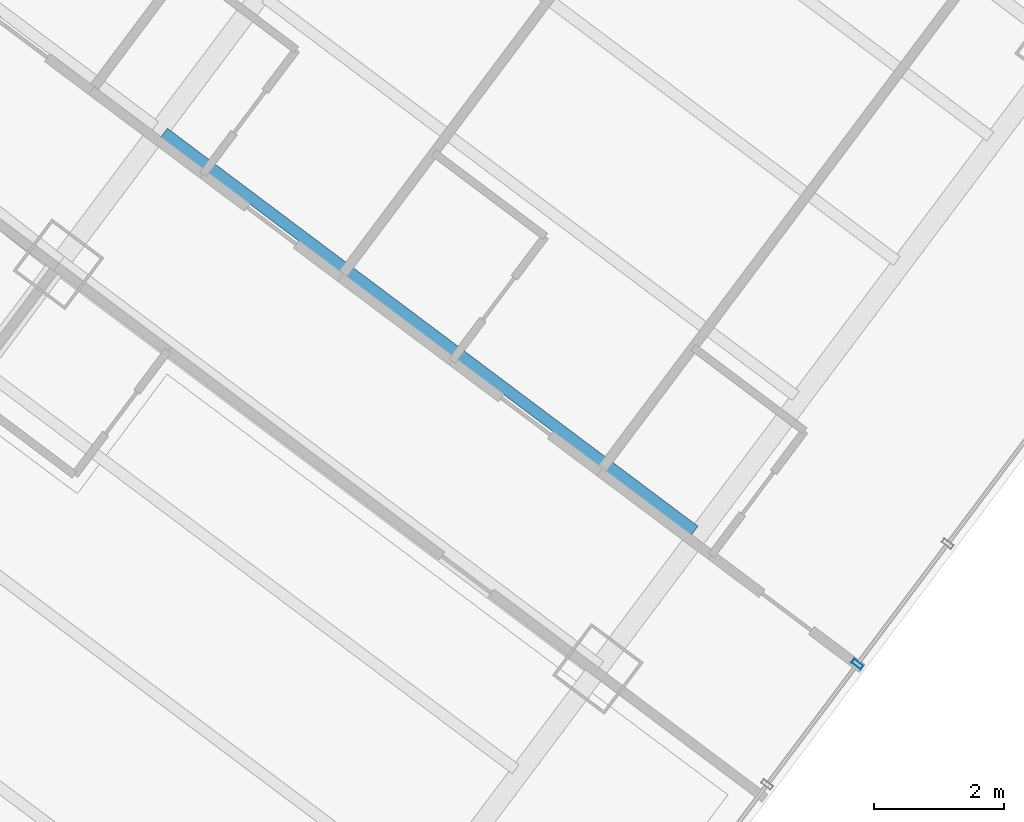
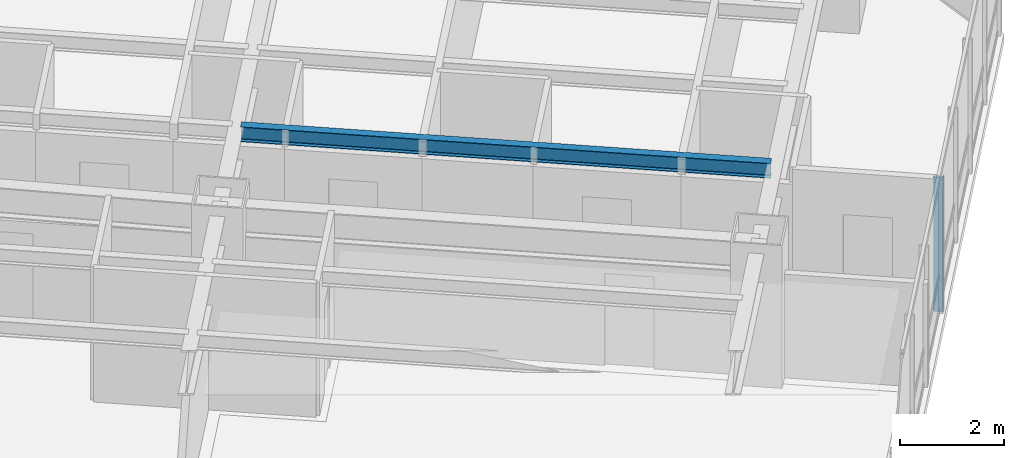
# One storey, part 10 of 33: 1 beam, 1 member, 1 element without a shape of its own.
"""IFC4 building model written with IfcOpenShell, lengths in metres."""

from ifc_helpers import new_model, si_unit, direction, frame, origin, origin_2d, place, context, subcontext, project, spatial, hollow_rectangle, i_section, extrude, material, layer, layer_set, material_profile, profile_set, type_object, element, aggregate, save


model = new_model("IFC4")

# Units and contexts
model_context = context("Model", 3, precision=1e-05, world=origin(), true_north=direction((0.0, 1.0)))
body_context = subcontext(model_context, "Body", "Model", "MODEL_VIEW")
ifc_project = project(units=[si_unit("LENGTHUNIT", "METRE"), si_unit("AREAUNIT", "SQUARE_METRE"), si_unit("VOLUMEUNIT", "CUBIC_METRE"), si_unit("PLANEANGLEUNIT", "RADIAN"), si_unit("MASSUNIT", "GRAM", prefix="KILO")], contexts=[model_context])

# Site, building, storey
site_placement = place(None, origin())
site = spatial("IfcSite", under=ifc_project, at=site_placement, CompositionType="ELEMENT")
building_placement = place(site_placement, origin())
building = spatial("IfcBuilding", under=site, at=building_placement, Name="Hatsunagi Terrace Concourse", CompositionType="ELEMENT")
storey_placement = place(building_placement, frame((0.0, 0.0, 56.699951171875)))
storey = spatial("IfcBuildingStorey", under=building, at=storey_placement, Name="L14", CompositionType="ELEMENT", Elevation=56.699951171875)

# Curtain wall, member
ifc_material_1 = material(Name="Anodised Aluminium Alloy 6063-T5", Category="aluminium")
ifc_layer = layer(ifc_material_1, 0.199951171875)
ifc_layer_set = layer_set([ifc_layer], Name="HotelFacade_CW02")
curtain_wall_type = type_object("IfcCurtainWallType", Name="HotelFacade_CW02", PredefinedType="NOTDEFINED", material=ifc_layer_set)
curtain_wall_placement = place(storey_placement, origin())
curtain_wall = element("IfcCurtainWall", 1, at=curtain_wall_placement, inside=storey, type_object=curtain_wall_type, Name="Unitised Curtain Wall CW-02 CW-L14-03", PredefinedType="NOTDEFINED")
ifc_material_2 = material(Name="Anodised Aluminium Alloy 6063-T5", Category="aluminium")
ifc_material_profile_1 = material_profile(ifc_material_2, hollow_rectangle(XDim=0.070068359375, YDim=0.179931640625, WallThickness=0.00390625, at=origin_2d()), Name="ALU-MUL-180x70x4")
ifc_profile_set_1 = profile_set([ifc_material_profile_1], Name="Anodised Aluminium Alloy 6063-T5")
member_type = type_object("IfcMemberType", Name="CurtainWallMullion_180x70", PredefinedType="MULLION", material=ifc_profile_set_1)
member_placement = place(storey_placement, frame((63.52392578125, 12.23193359375, 0.0), z_axis=(0.0, 0.0, 1.0), x_axis=(-0.599969314634, -0.800023013105, 0.0)))
member = element("IfcMember", 2, at=member_placement, type_object=member_type, Name="Curtain Wall Mullion MUL-02", PredefinedType="MULLION", context=body_context, shape_type="SweptSolid", body=[
    extrude(hollow_rectangle(XDim=0.070068359375, YDim=0.179931640625, WallThickness=0.00390625, at=origin_2d()), origin(), (0.0, 0.0, 1.0), 3.130126953125),
])
aggregate(curtain_wall, [member])

# Beam
ifc_material_3 = material(Name="Steel SN490B", Category="steel")
ifc_material_profile_2 = material_profile(ifc_material_3, i_section(OverallWidth=0.175048828125, OverallDepth=0.35009765625, WebThickness=0.007080078125, FlangeThickness=0.010986328125, FilletRadius=0.012939453125, at=origin_2d()), Name="H-350x175x7x11")
ifc_profile_set_2 = profile_set([ifc_material_profile_2], Name="Steel SN490B")
beam_type = type_object("IfcBeamType", Name="HotelJoist_H_350x175", PredefinedType="JOIST", material=ifc_profile_set_2)
beam_placement = place(storey_placement, frame((52.827880859375, 20.428955078125, 2.955078125), z_axis=(0.800005727586, -0.599992363142, 0.0), x_axis=(0.599992363142, 0.800005727586, 0.0)))
element("IfcBeam", 3, at=beam_placement, inside=storey, type_object=beam_type, Name="Beam J-02 J-L14-SE-3-142", PredefinedType="JOIST", context=body_context, shape_type="SweptSolid", body=[
    extrude(i_section(OverallWidth=0.175048828125, OverallDepth=0.35009765625, WebThickness=0.007080078125, FlangeThickness=0.010986328125, FilletRadius=0.012939453125, at=origin_2d()), origin(), (0.0, 0.0, 1.0), 10.22998046875),
])

save(model, "model.ifc")
